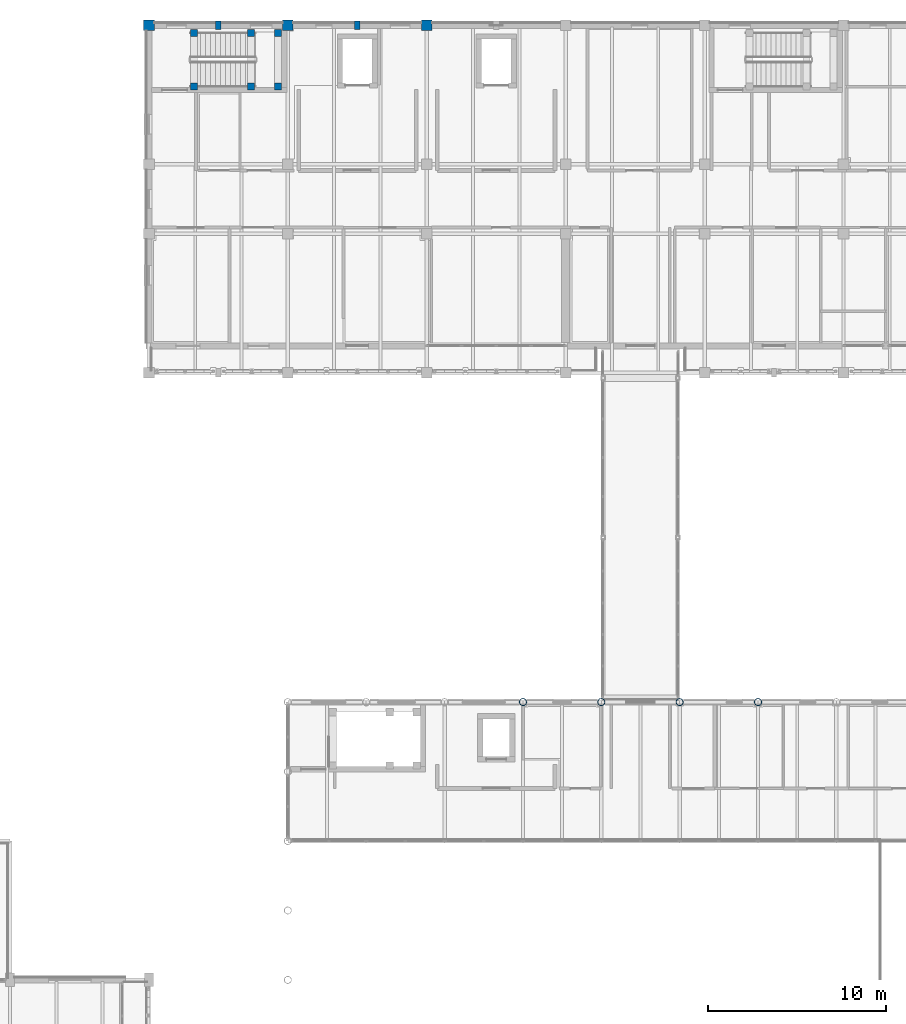
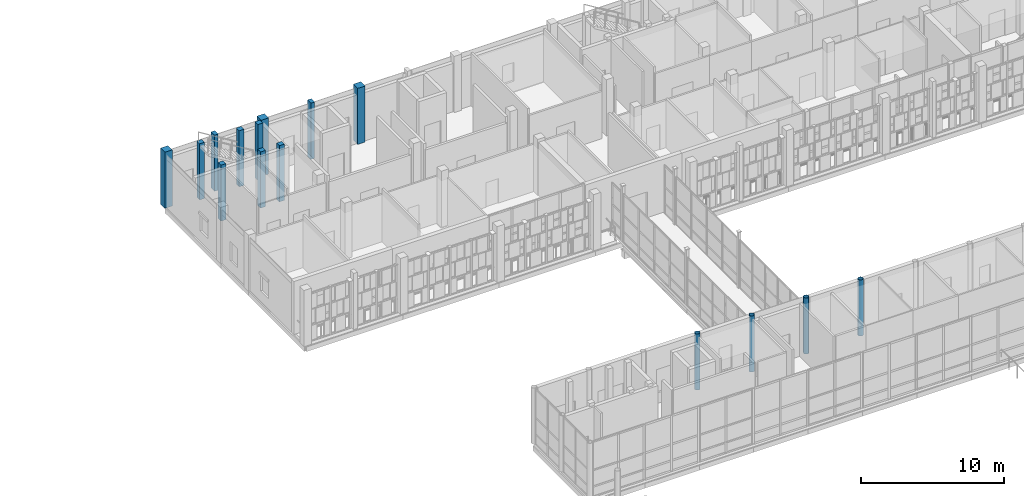
# One storey, part 10 of 138: 15 columns.
"""IFC4 building model written with IfcOpenShell, lengths in metres."""

import ifcopenshell
import ifcopenshell.guid

model = None  # the IFC model being written
_history = None  # IfcOwnerHistory: only IFC2X3 demands one
_inside = {}  # id of a spatial element -> (the spatial element, [elements in it])
_under = {}  # id of a project, library or spatial element -> (it, [spatial elements below it])
_declared = {}  # id of a project -> (the project, [libraries it declares])
_typed = {}  # id of a type object -> (the type object, [elements of that type])
_made_of = {}  # id of a material, layer set ... -> (it, [elements and type objects made of it])


def new_model(schema):
    """Start an empty IFC model of exactly this schema.

    Asked for "IFC4X3", IfcOpenShell would pick the latest addendum, in which some entities
    have other attributes; the version numbers below select the first issue.
    IFC2X3 requires an IfcOwnerHistory on every rooted entity: one is made here for all.
    """
    global model, _history
    if schema == "IFC4X3":
        model = ifcopenshell.file(schema_version=(4, 3, 0, 0))
    else:
        model = ifcopenshell.file(schema=schema)
    _inside.clear()
    _under.clear()
    _declared.clear()
    _typed.clear()
    _made_of.clear()
    _history = None
    if model.schema == "IFC2X3":
        org = make("IfcOrganization", Name="unknown")
        user = make(
            "IfcPersonAndOrganization",
            ThePerson=make("IfcPerson", FamilyName="unknown"),
            TheOrganization=org,
        )
        app = make(
            "IfcApplication",
            ApplicationDeveloper=org,
            Version="unknown",
            ApplicationFullName="unknown",
            ApplicationIdentifier="unknown",
        )
        _history = make(
            "IfcOwnerHistory",
            OwningUser=user,
            OwningApplication=app,
            ChangeAction="ADDED",
            CreationDate=0,
        )
    return model


def make(cls, **values):
    """One entity of the class cls with the attributes given. An attribute that is None is left unset."""
    return model.create_entity(
        cls, **{name: value for name, value in values.items() if value is not None}
    )


def rooted(cls, **values):
    """An entity with a GlobalId (a new one), such as an element, a storey or a relation."""
    return make(cls, GlobalId=ifcopenshell.guid.new(), OwnerHistory=_history, **values)


def si_unit(unit_type, name, prefix=None):
    """IfcSIUnit, for example si_unit("LENGTHUNIT", "METRE", prefix="MILLI")."""
    return make("IfcSIUnit", UnitType=unit_type, Prefix=prefix, Name=name)


def assignment(units):
    """IfcUnitAssignment: the units of a project."""
    return None if units is None else make("IfcUnitAssignment", Units=units)


def point(xyz):
    """IfcCartesianPoint."""
    return None if xyz is None else make("IfcCartesianPoint", Coordinates=xyz)


def direction(xyz):
    """IfcDirection."""
    return None if xyz is None else make("IfcDirection", DirectionRatios=xyz)


def frame(location, z_axis=None, x_axis=None):
    """IfcAxis2Placement3D, a coordinate frame: its origin and axes. An axis left out is left unset."""
    return make(
        "IfcAxis2Placement3D",
        Location=point(location),
        Axis=direction(z_axis),
        RefDirection=direction(x_axis),
    )


def frame_2d(location, x_axis=None):
    """IfcAxis2Placement2D, a coordinate frame in the plane: its origin and x axis."""
    return make(
        "IfcAxis2Placement2D", Location=point(location), RefDirection=direction(x_axis)
    )


def origin():
    """The frame at (0, 0, 0) with its axes left unset."""
    return frame((0.0, 0.0, 0.0))


def origin_2d():
    """The frame at (0, 0) in the plane with its x axis left unset."""
    return frame_2d((0.0, 0.0))


def place(relative_to, where):
    """IfcLocalPlacement: puts the frame where relative to a parent placement (None: the world)."""
    return make(
        "IfcLocalPlacement", PlacementRelTo=relative_to, RelativePlacement=where
    )


def context(
    kind, dimensions, precision=None, world=None, true_north=None, identifier=None
):
    """IfcGeometricRepresentationContext, for example the 3D "Model" context."""
    return make(
        "IfcGeometricRepresentationContext",
        ContextIdentifier=identifier,
        ContextType=kind,
        CoordinateSpaceDimension=dimensions,
        Precision=precision,
        WorldCoordinateSystem=world,
        TrueNorth=true_north,
    )


def subcontext(parent, identifier, kind, view, scale=None):
    """IfcGeometricRepresentationSubContext, for example "Body" below "Model"."""
    return make(
        "IfcGeometricRepresentationSubContext",
        ContextIdentifier=identifier,
        ContextType=kind,
        ParentContext=parent,
        TargetScale=scale,
        TargetView=view,
    )


def project(units=None, contexts=None):
    """IfcProject with its units and contexts."""
    return rooted(
        "IfcProject",
        Name="project",
        RepresentationContexts=contexts,
        UnitsInContext=assignment(units),
    )


def spatial(cls, under=None, at=None, **own):
    """A site, building, storey or space (cls), placed at a placement, below another one or the project."""
    s = rooted(cls, ObjectPlacement=at, **own)
    if under is not None:
        _under.setdefault(under.id(), (under, []))[1].append(s)
    return s


def profile(cls, at=None, kind="AREA", **sizes):
    """A parametric profile (cls). Its sizes go by their IFC names, for example OverallWidth=200.0."""
    return make(cls, ProfileType=kind, Position=at, **sizes)


def rectangle(**sizes):
    """IfcRectangleProfileDef."""
    return profile("IfcRectangleProfileDef", **sizes)


def hollow_circle(**sizes):
    """IfcCircleHollowProfileDef."""
    return profile("IfcCircleHollowProfileDef", **sizes)


def extrude(swept, where, along, depth):
    """IfcExtrudedAreaSolid: the profile swept, set in the frame where, extruded along a direction by depth."""
    return make(
        "IfcExtrudedAreaSolid",
        SweptArea=swept,
        Position=where,
        ExtrudedDirection=direction(along),
        Depth=depth,
    )


def shape(context_of_items, identifier, shape_type, items):
    """IfcShapeRepresentation: the items that make up one representation, for example the "Body"."""
    return make(
        "IfcShapeRepresentation",
        ContextOfItems=context_of_items,
        RepresentationIdentifier=identifier,
        RepresentationType=shape_type,
        Items=items,
    )


def material(Name=None, Category=None):
    """IfcMaterial."""
    return make("IfcMaterial", Name=Name, Category=Category)


def material_profile(
    of_material, cross_section, Name=None, Category=None, Priority=None
):
    """IfcMaterialProfile: a cross section and its material."""
    return make(
        "IfcMaterialProfile",
        Name=Name,
        Material=of_material,
        Profile=cross_section,
        Priority=Priority,
        Category=Category,
    )


def profile_set(profiles, Name=None, composite=None):
    """IfcMaterialProfileSet."""
    return make(
        "IfcMaterialProfileSet",
        Name=Name,
        MaterialProfiles=profiles,
        CompositeProfile=composite,
    )


def made_of(thing, what):
    """Note that an element or type object is made of a material, layer set ...; save() writes the relation."""
    if what is not None:
        _made_of.setdefault(what.id(), (what, []))[1].append(thing)
    return thing


def type_object(cls, material=None, **own):
    """A type object (cls), such as IfcWallType, which elements share."""
    return made_of(rooted(cls, **own), material)


def element(
    cls,
    number,
    at=None,
    inside=None,
    cuts=None,
    type_object=None,
    material=None,
    context=None,
    identifier="Body",
    shape_type=None,
    held_by="IfcProductDefinitionShape",
    body=None,
    shapes=None,
    **own,
):
    """One element of the class cls, such as IfcWall. Its Tag is "e" and its number.

    at: its placement. inside: the storey or other place that contains it. cuts: it is an
    opening in that element (IfcRelVoidsElement). A single representation is given by context,
    identifier, shape_type and body (its items); several are given by shapes. held_by: the class
    of the entity that holds the representations. save() writes the other relations.
    """
    e = rooted(cls, Tag="e%d" % number, ObjectPlacement=at, **own)
    if body is not None:
        shapes = [shape(context, identifier, shape_type, body)]
    if shapes is not None:
        e.Representation = make(held_by, Representations=shapes)
    if inside is not None:
        _inside.setdefault(inside.id(), (inside, []))[1].append(e)
    if cuts is not None:
        rooted(
            "IfcRelVoidsElement", RelatingBuildingElement=cuts, RelatedOpeningElement=e
        )
    if type_object is not None:
        _typed.setdefault(type_object.id(), (type_object, []))[1].append(e)
    return made_of(e, material)


def aggregate(whole, parts):
    """IfcRelAggregates: a whole, such as a stair, and the parts it consists of."""
    return rooted("IfcRelAggregates", RelatingObject=whole, RelatedObjects=parts)


def save(model, path):
    """Write the relations noted so far, then the file.

    IfcRelAggregates (storeys below a building ...), IfcRelContainedInSpatialStructure (elements
    in a storey), IfcRelDefinesByType, IfcRelAssociatesMaterial and IfcRelDeclares: one each for
    every whole, place, type object, material and project.
    """
    for whole, parts in _under.values():
        aggregate(whole, parts)
    for where, things in _inside.values():
        rooted(
            "IfcRelContainedInSpatialStructure",
            RelatedElements=things,
            RelatingStructure=where,
        )
    for kind, things in _typed.values():
        rooted("IfcRelDefinesByType", RelatedObjects=things, RelatingType=kind)
    for what, things in _made_of.values():
        rooted("IfcRelAssociatesMaterial", RelatedObjects=things, RelatingMaterial=what)
    for by, libraries in _declared.values():
        rooted("IfcRelDeclares", RelatingContext=by, RelatedDefinitions=libraries)
    model.write(path)


model = new_model("IFC4")

# Units and contexts
model_context = context("Model", 3, precision=1e-05, world=origin(), true_north=direction((0.0, 1.0)))
body_context = subcontext(model_context, "Body", "Model", "MODEL_VIEW")
ifc_project = project(units=[si_unit("LENGTHUNIT", "METRE"), si_unit("AREAUNIT", "SQUARE_METRE"), si_unit("VOLUMEUNIT", "CUBIC_METRE"), si_unit("PLANEANGLEUNIT", "RADIAN"), si_unit("MASSUNIT", "GRAM", prefix="KILO")], contexts=[model_context])

# Site, building, storey
site_placement = place(None, origin())
site = spatial("IfcSite", under=ifc_project, at=site_placement, CompositionType="ELEMENT")
building_placement = place(site_placement, origin())
building = spatial("IfcBuilding", under=site, at=building_placement, Name="Celorna Specialist Clinic", CompositionType="ELEMENT")
storey_placement = place(building_placement, frame((0.0, 0.0, 4.800048828125)))
storey = spatial("IfcBuildingStorey", under=building, at=storey_placement, Name="L01", CompositionType="ELEMENT", Elevation=4.800048828125)

# Columns
ifc_material_1 = material(Name="Concrete C40/50", Category="concrete")
ifc_material_profile_1 = material_profile(ifc_material_1, rectangle(XDim=0.60009765625, YDim=0.60009765625, at=origin_2d()), Name="RC 600x600")
ifc_profile_set_1 = profile_set([ifc_material_profile_1], Name="Concrete C40/50")
column_type_1 = type_object("IfcColumnType", Name="CT-04", PredefinedType="COLUMN", material=ifc_profile_set_1)
for number, where, z_axis, x_axis, name in (
    (1, (46.800048828125, 116.0, 0.0), (0.0, 0.0, 1.0), (1.0, 0.0, 0.0), "Column CT-04 L01 X07/YU"),
    (2, (54.60009765625, 116.0, 0.0), (0.0, 0.0, 1.0), (1.0, 0.0, 0.0), "Column CT-04 L01 X08/YU"),
    (3, (62.39990234375, 116.0, 0.0), (0.0, 0.0, 1.0), (1.0, 0.0, 0.0), "Column CT-04 L01 X09/YU"),
):
    element("IfcColumn", number, at=place(storey_placement, frame(where, z_axis=z_axis, x_axis=x_axis)), inside=storey, type_object=column_type_1, Name=name, PredefinedType="COLUMN", context=body_context, shape_type="SweptSolid", body=[
        extrude(rectangle(XDim=0.60009765625, YDim=0.60009765625, at=origin_2d()), origin(), (0.0, 0.0, 1.0), 4.800048828125),
    ])
ifc_material_2 = material(Name="Concrete C35/45", Category="concrete")
ifc_material_profile_2 = material_profile(ifc_material_2, rectangle(XDim=0.39990234375, YDim=0.39990234375, at=origin_2d()), Name="RC 400x400")
ifc_profile_set_2 = profile_set([ifc_material_profile_2], Name="Concrete C35/45")
column_type_2 = type_object("IfcColumnType", Name="CT-08", PredefinedType="COLUMN", material=ifc_profile_set_2)
for number, where, z_axis, x_axis, name in (
    (4, (49.320068359375, 112.570068359375, 0.0), (0.0, 0.0, 1.0), (1.0, 0.0, 0.0), "Stair ST-01 landing column CT-08 L01 X07/YU"),
    (5, (49.320068359375, 115.570068359375, 0.0), (0.0, 0.0, 1.0), (1.0, 0.0, 0.0), "Stair ST-01 landing column CT-08 L01 X07/YU"),
    (6, (52.52001953125, 112.570068359375, 0.0), (0.0, 0.0, 1.0), (1.0, 0.0, 0.0), "Stair ST-01 landing column CT-08 L01 X08/YU"),
    (7, (52.52001953125, 115.570068359375, 0.0), (0.0, 0.0, 1.0), (1.0, 0.0, 0.0), "Stair ST-01 landing column CT-08 L01 X08/YU"),
    (8, (54.0400390625, 112.570068359375, 0.0), (0.0, 0.0, 1.0), (1.0, 0.0, 0.0), "Stair ST-01 landing column CT-08 L01 X08/YU"),
    (9, (54.0400390625, 115.570068359375, 0.0), (0.0, 0.0, 1.0), (1.0, 0.0, 0.0), "Stair ST-01 landing column CT-08 L01 X08/YU"),
):
    element("IfcColumn", number, at=place(storey_placement, frame(where, z_axis=z_axis, x_axis=x_axis)), inside=storey, type_object=column_type_2, Name=name, PredefinedType="COLUMN", context=body_context, shape_type="SweptSolid", body=[
        extrude(rectangle(XDim=0.39990234375, YDim=0.39990234375, at=origin_2d()), origin(), (0.0, 0.0, 1.0), 4.800048828125),
    ])
ifc_material_3 = material(Name="Steel S355", Category="steel")
ifc_material_profile_3 = material_profile(ifc_material_3, hollow_circle(Radius=0.203125, WallThickness=0.01611328125, at=origin_2d()), Name="CHS 406.4x16")
ifc_profile_set_3 = profile_set([ifc_material_profile_3], Name="Steel S355")
column_type_3 = type_object("IfcColumnType", Name="CT-12", PredefinedType="COLUMN", material=ifc_profile_set_3)
for number, where, z_axis, x_axis, name in (
    (10, (67.800048828125, 78.0, 0.0), (0.0, 0.0, 1.0), (1.0, 0.0, 0.0), "Column CT-12 L01 X10/YP"),
    (11, (72.199951171875, 78.0, 0.0), (0.0, 0.0, 1.0), (1.0, 0.0, 0.0), "Column CT-12 L01 X10/YP"),
    (12, (76.60009765625, 78.0, 0.0), (0.0, 0.0, 1.0), (1.0, 0.0, 0.0), "Column CT-12 L01 X11/YP"),
    (13, (81.0, 78.0, 0.0), (0.0, 0.0, 1.0), (1.0, 0.0, 0.0), "Column CT-12 L01 X11/YP"),
):
    element("IfcColumn", number, at=place(storey_placement, frame(where, z_axis=z_axis, x_axis=x_axis)), inside=storey, type_object=column_type_3, Name=name, PredefinedType="COLUMN", context=body_context, shape_type="SweptSolid", body=[
        extrude(hollow_circle(Radius=0.203125, WallThickness=0.01611328125, at=origin_2d()), origin(), (0.0, 0.0, 1.0), 4.800048828125),
    ])
ifc_material_4 = material(Name="Precast concrete C40/50", Category="concrete")
ifc_material_profile_4 = material_profile(ifc_material_4, rectangle(XDim=0.300048828125, YDim=0.47998046875, at=origin_2d()), Name="PILASTER 300x480")
ifc_profile_set_4 = profile_set([ifc_material_profile_4], Name="Precast concrete C40/50")
column_type_4 = type_object("IfcColumnType", Name="CT-17", PredefinedType="PILASTER", material=ifc_profile_set_4)
for number, where, z_axis, x_axis, name in (
    (14, (50.699951171875, 116.0, 0.0), (0.0, 0.0, 1.0), (1.0, 0.0, 0.0), "Facade pilaster CT-17 L01 X08/YU"),
    (15, (58.5, 116.0, 0.0), (0.0, 0.0, 1.0), (1.0, 0.0, 0.0), "Facade pilaster CT-17 L01 X08/YU"),
):
    element("IfcColumn", number, at=place(storey_placement, frame(where, z_axis=z_axis, x_axis=x_axis)), inside=storey, type_object=column_type_4, Name=name, PredefinedType="PILASTER", context=body_context, shape_type="SweptSolid", body=[
        extrude(rectangle(XDim=0.300048828125, YDim=0.47998046875, at=origin_2d()), origin(), (0.0, 0.0, 1.0), 4.800048828125),
    ])

save(model, "model.ifc")
